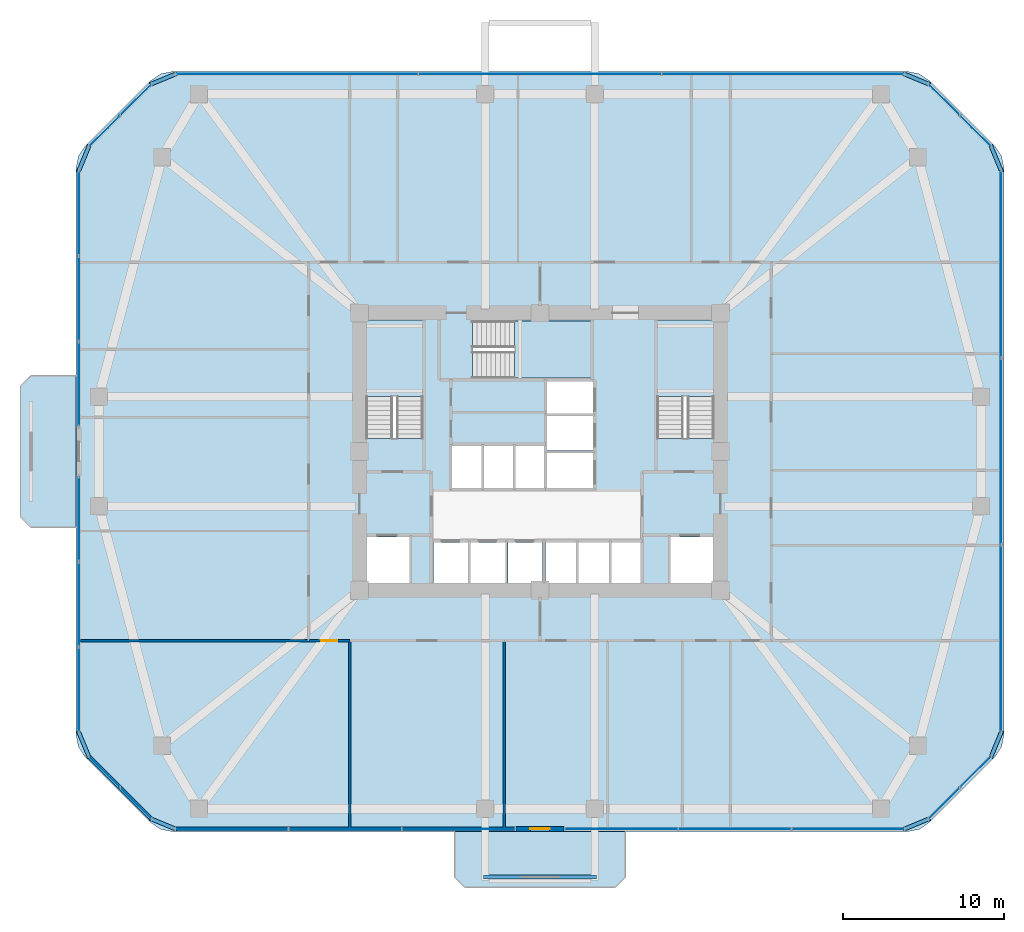
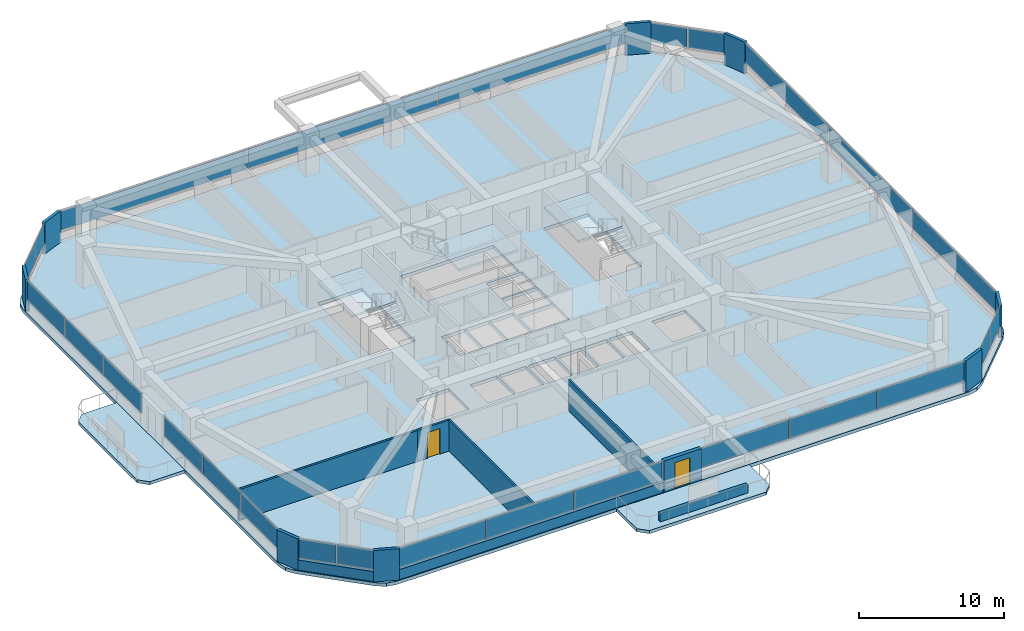
# One storey, part 8 of 14: 34 plates, 8 walls, 6 slabs, 2 doors, 2 openings, 13 elements without a shape of their own.
"""IFC4 building model written with IfcOpenShell, lengths in metres."""

from ifc_helpers import new_model, si_unit, derived_unit, direction, frame, frame_2d, origin, origin_2d, place, context, subcontext, project, spatial, polyline, rectangle, outline, extrude, material, layer, layer_set, type_object, element, fill, aggregate, save


model = new_model("IFC4")

# Units and contexts
model_context = context("Model", 3, precision=1e-05, world=origin(), true_north=direction((0.0, 1.0)))
body_context = subcontext(model_context, "Body", "Model", "MODEL_VIEW")
ifc_project = project(units=[si_unit("LENGTHUNIT", "METRE"), si_unit("AREAUNIT", "SQUARE_METRE"), si_unit("VOLUMEUNIT", "CUBIC_METRE"), si_unit("PLANEANGLEUNIT", "RADIAN"), si_unit("MASSUNIT", "GRAM", prefix="KILO"), derived_unit("THERMALTRANSMITTANCEUNIT", [(si_unit("POWERUNIT", "WATT"), 1), (si_unit("LENGTHUNIT", "METRE"), -2), (si_unit("THERMODYNAMICTEMPERATUREUNIT", "KELVIN"), -1)])], contexts=[model_context])

# Site, building, storey
site_placement = place(None, origin())
site = spatial("IfcSite", under=ifc_project, at=site_placement, CompositionType="ELEMENT")
building_placement = place(site_placement, origin())
building = spatial("IfcBuilding", under=site, at=building_placement, Name="Koralith Skygarden Medical Center", CompositionType="ELEMENT")
storey_placement = place(building_placement, frame((0.0, 0.0, 34.739990234375)))
storey = spatial("IfcBuildingStorey", under=building, at=storey_placement, Name="L08", CompositionType="ELEMENT", Elevation=34.739990234375)

# Curtain wall, plates
ifc_material_1 = material(Name="Clear Laminated Glass", Category="glass")
curtain_wall_type = type_object("IfcCurtainWallType", Name="CW-2 Zone 1 Hurricane Unitised Curtain Wall", PredefinedType="NOTDEFINED", material=ifc_material_1)
curtain_wall_1_placement = place(storey_placement, origin())
curtain_wall_1 = element("IfcCurtainWall", 1, at=curtain_wall_1_placement, inside=storey, type_object=curtain_wall_type, Name="Curtain Wall CW-L08-S-L", PredefinedType="NOTDEFINED")
ifc_layer_1 = layer(ifc_material_1, 0.031982421875)
ifc_layer_set_1 = layer_set([ifc_layer_1], Name="Clear Laminated Glass")
plate_type_1 = type_object("IfcPlateType", Name="CW-2 Hurricane Laminated IGU Panel 32", PredefinedType="CURTAIN_PANEL", material=ifc_layer_set_1)
plate_1_placement = place(storey_placement, frame((17.873046875, 2.47998046875, 0.919921875), z_axis=(0.0, 0.0, 1.0), x_axis=(1.0, 0.0, 0.0)))
plate_1 = element("IfcPlate", 2, at=plate_1_placement, type_object=plate_type_1, Name="CW-L08-S-L Glazed Panel 1", PredefinedType="CURTAIN_PANEL", context=body_context, shape_type="SweptSolid", body=[
    extrude(rectangle(XDim=6.945068359375, YDim=0.031982421875, at=origin_2d()), origin(), (0.0, 0.0, 1.0), 1.659912109375),
])
plate_2_placement = place(storey_placement, frame((24.906982421875, 2.47998046875, 0.919921875), z_axis=(0.0, 0.0, 1.0), x_axis=(1.0, 0.0, 0.0)))
plate_2 = element("IfcPlate", 3, at=plate_2_placement, type_object=plate_type_1, Name="CW-L08-S-L Glazed Panel 2", PredefinedType="CURTAIN_PANEL", context=body_context, shape_type="SweptSolid", body=[
    extrude(rectangle(XDim=6.945068359375, YDim=0.031982421875, at=origin_2d()), origin(), (0.0, 0.0, 1.0), 1.659912109375),
])
plate_3_placement = place(storey_placement, frame((31.94189453125, 2.47998046875, 0.919921875), z_axis=(0.0, 0.0, 1.0), x_axis=(1.0, 0.0, 0.0)))
plate_3 = element("IfcPlate", 4, at=plate_3_placement, type_object=plate_type_1, Name="CW-L08-S-L Glazed Panel 3", PredefinedType="CURTAIN_PANEL", context=body_context, shape_type="SweptSolid", body=[
    extrude(rectangle(XDim=6.945068359375, YDim=0.031982421875, at=origin_2d()), origin(), (0.0, 0.0, 1.0), 1.659912109375),
])
aggregate(curtain_wall_1, [plate_1, plate_2, plate_3])

curtain_wall_2_placement = place(storey_placement, origin())
curtain_wall_2 = element("IfcCurtainWall", 5, at=curtain_wall_2_placement, inside=storey, type_object=curtain_wall_type, Name="Curtain Wall CW-L08-S-R", PredefinedType="NOTDEFINED")
plate_4_placement = place(storey_placement, frame((42.056884765625, 2.47998046875, 0.919921875), z_axis=(0.0, 0.0, 1.0), x_axis=(1.0, 0.0, 0.0)))
plate_4 = element("IfcPlate", 6, at=plate_4_placement, type_object=plate_type_1, Name="CW-L08-S-R Glazed Panel 1", PredefinedType="CURTAIN_PANEL", context=body_context, shape_type="SweptSolid", body=[
    extrude(rectangle(XDim=6.945068359375, YDim=0.031982421875, at=origin_2d()), origin(), (0.0, 0.0, 1.0), 1.659912109375),
])
plate_5_placement = place(storey_placement, frame((49.093017578125, 2.47998046875, 0.919921875), z_axis=(0.0, 0.0, 1.0), x_axis=(1.0, 0.0, 0.0)))
plate_5 = element("IfcPlate", 7, at=plate_5_placement, type_object=plate_type_1, Name="CW-L08-S-R Glazed Panel 2", PredefinedType="CURTAIN_PANEL", context=body_context, shape_type="SweptSolid", body=[
    extrude(rectangle(XDim=6.945068359375, YDim=0.031982421875, at=origin_2d()), origin(), (0.0, 0.0, 1.0), 1.659912109375),
])
plate_6_placement = place(storey_placement, frame((56.126953125, 2.47998046875, 0.919921875), z_axis=(0.0, 0.0, 1.0), x_axis=(1.0, 0.0, 0.0)))
plate_6 = element("IfcPlate", 8, at=plate_6_placement, type_object=plate_type_1, Name="CW-L08-S-R Glazed Panel 3", PredefinedType="CURTAIN_PANEL", context=body_context, shape_type="SweptSolid", body=[
    extrude(rectangle(XDim=6.945068359375, YDim=0.031982421875, at=origin_2d()), origin(), (0.0, 0.0, 1.0), 1.659912109375),
])
aggregate(curtain_wall_2, [plate_4, plate_5, plate_6])

curtain_wall_3_placement = place(storey_placement, origin())
curtain_wall_3 = element("IfcCurtainWall", 9, at=curtain_wall_3_placement, inside=storey, type_object=curtain_wall_type, Name="Curtain Wall CW-L08-SE", PredefinedType="NOTDEFINED")
plate_7_placement = place(storey_placement, frame((62.076904296875, 4.06201171875, 0.919921875), z_axis=(0.0, 0.0, 1.0), x_axis=(0.707106781187, 0.707106781187, 0.0)))
plate_7 = element("IfcPlate", 10, at=plate_7_placement, type_object=plate_type_1, Name="CW-L08-SE Glazed Panel 1", PredefinedType="CURTAIN_PANEL", context=body_context, shape_type="SweptSolid", body=[
    extrude(rectangle(XDim=2.68408203125, YDim=0.031982421875, at=origin_2d()), origin(), (0.0, 0.0, 1.0), 1.659912109375),
])
plate_8_placement = place(storey_placement, frame((64.0380859375, 6.02294921875, 0.919921875), z_axis=(0.0, 0.0, 1.0), x_axis=(0.707106781187, 0.707106781187, 0.0)))
plate_8 = element("IfcPlate", 11, at=plate_8_placement, type_object=plate_type_1, Name="CW-L08-SE Glazed Panel 2", PredefinedType="CURTAIN_PANEL", context=body_context, shape_type="SweptSolid", body=[
    extrude(rectangle(XDim=2.68408203125, YDim=0.031982421875, at=origin_2d()), origin(), (0.0, 0.0, 1.0), 1.659912109375),
])
aggregate(curtain_wall_3, [plate_7, plate_8])

curtain_wall_4_placement = place(storey_placement, origin())
curtain_wall_4 = element("IfcCurtainWall", 12, at=curtain_wall_4_placement, inside=storey, type_object=curtain_wall_type, Name="Curtain Wall CW-L08-E", PredefinedType="NOTDEFINED")
plate_9_placement = place(storey_placement, frame((65.6201171875, 14.27001953125, 0.919921875), z_axis=(0.0, 0.0, 1.0), x_axis=(0.0, 1.0, 0.0)))
plate_9 = element("IfcPlate", 13, at=plate_9_placement, type_object=plate_type_1, Name="CW-L08-E Glazed Panel 1", PredefinedType="CURTAIN_PANEL", context=body_context, shape_type="SweptSolid", body=[
    extrude(rectangle(XDim=11.5400390625, YDim=0.031982421875, at=origin_2d()), origin(), (0.0, 0.0, 1.0), 1.659912109375),
])
plate_10_placement = place(storey_placement, frame((65.6201171875, 25.89990234375, 0.919921875), z_axis=(0.0, 0.0, 1.0), x_axis=(0.0, 1.0, 0.0)))
plate_10 = element("IfcPlate", 14, at=plate_10_placement, type_object=plate_type_1, Name="CW-L08-E Glazed Panel 2", PredefinedType="CURTAIN_PANEL", context=body_context, shape_type="SweptSolid", body=[
    extrude(rectangle(XDim=11.5400390625, YDim=0.031982421875, at=origin_2d()), origin(), (0.0, 0.0, 1.0), 1.659912109375),
])
plate_11_placement = place(storey_placement, frame((65.6201171875, 37.530029296875, 0.919921875), z_axis=(0.0, 0.0, 1.0), x_axis=(0.0, 1.0, 0.0)))
plate_11 = element("IfcPlate", 15, at=plate_11_placement, type_object=plate_type_1, Name="CW-L08-E Glazed Panel 3", PredefinedType="CURTAIN_PANEL", context=body_context, shape_type="SweptSolid", body=[
    extrude(rectangle(XDim=11.5400390625, YDim=0.031982421875, at=origin_2d()), origin(), (0.0, 0.0, 1.0), 1.659912109375),
])
aggregate(curtain_wall_4, [plate_9, plate_10, plate_11])

curtain_wall_5_placement = place(storey_placement, origin())
curtain_wall_5 = element("IfcCurtainWall", 16, at=curtain_wall_5_placement, inside=storey, type_object=curtain_wall_type, Name="Curtain Wall CW-L08-NE", PredefinedType="NOTDEFINED")
plate_12_placement = place(storey_placement, frame((64.0380859375, 45.777099609375, 0.919921875), z_axis=(0.0, 0.0, 1.0), x_axis=(-0.707106781187, 0.707106781187, 0.0)))
plate_12 = element("IfcPlate", 17, at=plate_12_placement, type_object=plate_type_1, Name="CW-L08-NE Glazed Panel 1", PredefinedType="CURTAIN_PANEL", context=body_context, shape_type="SweptSolid", body=[
    extrude(rectangle(XDim=2.68408203125, YDim=0.031982421875, at=origin_2d()), origin(), (0.0, 0.0, 1.0), 1.659912109375),
])
plate_13_placement = place(storey_placement, frame((62.076904296875, 47.738037109375, 0.919921875), z_axis=(0.0, 0.0, 1.0), x_axis=(-0.707106781187, 0.707106781187, 0.0)))
plate_13 = element("IfcPlate", 18, at=plate_13_placement, type_object=plate_type_1, Name="CW-L08-NE Glazed Panel 2", PredefinedType="CURTAIN_PANEL", context=body_context, shape_type="SweptSolid", body=[
    extrude(rectangle(XDim=2.68408203125, YDim=0.031982421875, at=origin_2d()), origin(), (0.0, 0.0, 1.0), 1.659912109375),
])
aggregate(curtain_wall_5, [plate_12, plate_13])

curtain_wall_6_placement = place(storey_placement, origin())
curtain_wall_6 = element("IfcCurtainWall", 19, at=curtain_wall_6_placement, inside=storey, type_object=curtain_wall_type, Name="Curtain Wall CW-L08-N", PredefinedType="NOTDEFINED")
plate_14_placement = place(storey_placement, frame((52.096923828125, 49.320068359375, 0.919921875), z_axis=(0.0, 0.0, 1.0), x_axis=(-1.0, 0.0, 0.0)))
plate_14 = element("IfcPlate", 20, at=plate_14_placement, type_object=plate_type_1, Name="CW-L08-N Glazed Panel 1", PredefinedType="CURTAIN_PANEL", context=body_context, shape_type="SweptSolid", body=[
    extrude(rectangle(XDim=15.007080078125, YDim=0.031982421875, at=origin_2d()), origin(), (0.0, 0.0, 1.0), 1.659912109375),
])
plate_15_placement = place(storey_placement, frame((37.0, 49.320068359375, 0.919921875), z_axis=(0.0, 0.0, 1.0), x_axis=(-1.0, 0.0, 0.0)))
plate_15 = element("IfcPlate", 21, at=plate_15_placement, type_object=plate_type_1, Name="CW-L08-N Glazed Panel 2", PredefinedType="CURTAIN_PANEL", context=body_context, shape_type="SweptSolid", body=[
    extrude(rectangle(XDim=15.007080078125, YDim=0.031982421875, at=origin_2d()), origin(), (0.0, 0.0, 1.0), 1.659912109375),
])
plate_16_placement = place(storey_placement, frame((21.903076171875, 49.320068359375, 0.919921875), z_axis=(0.0, 0.0, 1.0), x_axis=(-1.0, 0.0, 0.0)))
plate_16 = element("IfcPlate", 22, at=plate_16_placement, type_object=plate_type_1, Name="CW-L08-N Glazed Panel 3", PredefinedType="CURTAIN_PANEL", context=body_context, shape_type="SweptSolid", body=[
    extrude(rectangle(XDim=15.007080078125, YDim=0.031982421875, at=origin_2d()), origin(), (0.0, 0.0, 1.0), 1.659912109375),
])
aggregate(curtain_wall_6, [plate_14, plate_15, plate_16])

curtain_wall_7_placement = place(storey_placement, origin())
curtain_wall_7 = element("IfcCurtainWall", 23, at=curtain_wall_7_placement, inside=storey, type_object=curtain_wall_type, Name="Curtain Wall CW-L08-NW", PredefinedType="NOTDEFINED")
plate_17_placement = place(storey_placement, frame((11.923095703125, 47.738037109375, 0.919921875), z_axis=(0.0, 0.0, 1.0), x_axis=(-0.707106781187, -0.707106781187, 0.0)))
plate_17 = element("IfcPlate", 24, at=plate_17_placement, type_object=plate_type_1, Name="CW-L08-NW Glazed Panel 1", PredefinedType="CURTAIN_PANEL", context=body_context, shape_type="SweptSolid", body=[
    extrude(rectangle(XDim=2.68408203125, YDim=0.031982421875, at=origin_2d()), origin(), (0.0, 0.0, 1.0), 1.659912109375),
])
plate_18_placement = place(storey_placement, frame((9.9619140625, 45.777099609375, 0.919921875), z_axis=(0.0, 0.0, 1.0), x_axis=(-0.707106781187, -0.707106781187, 0.0)))
plate_18 = element("IfcPlate", 25, at=plate_18_placement, type_object=plate_type_1, Name="CW-L08-NW Glazed Panel 2", PredefinedType="CURTAIN_PANEL", context=body_context, shape_type="SweptSolid", body=[
    extrude(rectangle(XDim=2.68408203125, YDim=0.031982421875, at=origin_2d()), origin(), (0.0, 0.0, 1.0), 1.659912109375),
])
aggregate(curtain_wall_7, [plate_17, plate_18])

curtain_wall_8_placement = place(storey_placement, origin())
curtain_wall_8 = element("IfcCurtainWall", 26, at=curtain_wall_8_placement, inside=storey, type_object=curtain_wall_type, Name="Curtain Wall CW-L08-W-L", PredefinedType="NOTDEFINED")
plate_19_placement = place(storey_placement, frame((8.3798828125, 40.694091796875, 0.919921875), z_axis=(0.0, 0.0, 1.0), x_axis=(0.0, -1.0, 0.0)))
plate_19 = element("IfcPlate", 27, at=plate_19_placement, type_object=plate_type_1, Name="CW-L08-W-L Glazed Panel 1", PredefinedType="CURTAIN_PANEL", context=body_context, shape_type="SweptSolid", body=[
    extrude(rectangle(XDim=5.2119140625, YDim=0.031982421875, at=origin_2d()), origin(), (0.0, 0.0, 1.0), 1.659912109375),
])
plate_20_placement = place(storey_placement, frame((8.3798828125, 35.39208984375, 0.919921875), z_axis=(0.0, 0.0, 1.0), x_axis=(0.0, -1.0, 0.0)))
plate_20 = element("IfcPlate", 28, at=plate_20_placement, type_object=plate_type_1, Name="CW-L08-W-L Glazed Panel 2", PredefinedType="CURTAIN_PANEL", context=body_context, shape_type="SweptSolid", body=[
    extrude(rectangle(XDim=5.2119140625, YDim=0.031982421875, at=origin_2d()), origin(), (0.0, 0.0, 1.0), 1.659912109375),
])
plate_21_placement = place(storey_placement, frame((8.3798828125, 30.091064453125, 0.919921875), z_axis=(0.0, 0.0, 1.0), x_axis=(0.0, -1.0, 0.0)))
plate_21 = element("IfcPlate", 29, at=plate_21_placement, type_object=plate_type_1, Name="CW-L08-W-L Glazed Panel 3", PredefinedType="CURTAIN_PANEL", context=body_context, shape_type="SweptSolid", body=[
    extrude(rectangle(XDim=5.2119140625, YDim=0.031982421875, at=origin_2d()), origin(), (0.0, 0.0, 1.0), 1.659912109375),
])
aggregate(curtain_wall_8, [plate_19, plate_20, plate_21])

curtain_wall_9_placement = place(storey_placement, origin())
curtain_wall_9 = element("IfcCurtainWall", 30, at=curtain_wall_9_placement, inside=storey, type_object=curtain_wall_type, Name="Curtain Wall CW-L08-W-R", PredefinedType="NOTDEFINED")
plate_22_placement = place(storey_placement, frame((8.3798828125, 21.708984375, 0.919921875), z_axis=(0.0, 0.0, 1.0), x_axis=(0.0, -1.0, 0.0)))
plate_22 = element("IfcPlate", 31, at=plate_22_placement, type_object=plate_type_1, Name="CW-L08-W-R Glazed Panel 1", PredefinedType="CURTAIN_PANEL", context=body_context, shape_type="SweptSolid", body=[
    extrude(rectangle(XDim=5.2119140625, YDim=0.031982421875, at=origin_2d()), origin(), (0.0, 0.0, 1.0), 1.659912109375),
])
plate_23_placement = place(storey_placement, frame((8.3798828125, 16.406982421875, 0.919921875), z_axis=(0.0, 0.0, 1.0), x_axis=(0.0, -1.0, 0.0)))
plate_23 = element("IfcPlate", 32, at=plate_23_placement, type_object=plate_type_1, Name="CW-L08-W-R Glazed Panel 2", PredefinedType="CURTAIN_PANEL", context=body_context, shape_type="SweptSolid", body=[
    extrude(rectangle(XDim=5.2119140625, YDim=0.031982421875, at=origin_2d()), origin(), (0.0, 0.0, 1.0), 1.659912109375),
])
plate_24_placement = place(storey_placement, frame((8.3798828125, 11.10595703125, 0.919921875), z_axis=(0.0, 0.0, 1.0), x_axis=(0.0, -1.0, 0.0)))
plate_24 = element("IfcPlate", 33, at=plate_24_placement, type_object=plate_type_1, Name="CW-L08-W-R Glazed Panel 3", PredefinedType="CURTAIN_PANEL", context=body_context, shape_type="SweptSolid", body=[
    extrude(rectangle(XDim=5.2119140625, YDim=0.031982421875, at=origin_2d()), origin(), (0.0, 0.0, 1.0), 1.659912109375),
])
aggregate(curtain_wall_9, [plate_22, plate_23, plate_24])

curtain_wall_10_placement = place(storey_placement, origin())
curtain_wall_10 = element("IfcCurtainWall", 34, at=curtain_wall_10_placement, inside=storey, type_object=curtain_wall_type, Name="Curtain Wall CW-L08-SW", PredefinedType="NOTDEFINED")
plate_25_placement = place(storey_placement, frame((9.9619140625, 6.02294921875, 0.919921875), z_axis=(0.0, 0.0, 1.0), x_axis=(0.707106781187, -0.707106781187, 0.0)))
plate_25 = element("IfcPlate", 35, at=plate_25_placement, type_object=plate_type_1, Name="CW-L08-SW Glazed Panel 1", PredefinedType="CURTAIN_PANEL", context=body_context, shape_type="SweptSolid", body=[
    extrude(rectangle(XDim=2.68408203125, YDim=0.031982421875, at=origin_2d()), origin(), (0.0, 0.0, 1.0), 1.659912109375),
])
plate_26_placement = place(storey_placement, frame((11.923095703125, 4.06201171875, 0.919921875), z_axis=(0.0, 0.0, 1.0), x_axis=(0.707106781187, -0.707106781187, 0.0)))
plate_26 = element("IfcPlate", 36, at=plate_26_placement, type_object=plate_type_1, Name="CW-L08-SW Glazed Panel 2", PredefinedType="CURTAIN_PANEL", context=body_context, shape_type="SweptSolid", body=[
    extrude(rectangle(XDim=2.68408203125, YDim=0.031982421875, at=origin_2d()), origin(), (0.0, 0.0, 1.0), 1.659912109375),
])
aggregate(curtain_wall_10, [plate_25, plate_26])

# Slabs
ifc_material_2 = material(Name="Concrete C45/55", Category="concrete")
ifc_layer_2 = layer(ifc_material_2, 0.260009765625)
ifc_layer_set_2 = layer_set([ifc_layer_2], Name="Concrete C45/55")
slab_type_1 = type_object("IfcSlabType", Name="Cantilevered Planted Balcony Slab 260", PredefinedType="FLOOR", material=ifc_layer_set_2)
slab_1_placement = place(storey_placement, frame((0.0, 0.0, -0.260009765625)))
element("IfcSlab", 37, at=slab_1_placement, inside=storey, type_object=slab_type_1, Name="L08 S Planted Sky-Garden Balcony Slab", PredefinedType="FLOOR", context=body_context, shape_type="SweptSolid", body=[
    extrude(outline(polyline([(32.35009765625, -1.14990234375), (41.64990234375, -1.14990234375), (42.300048828125, -0.5), (42.300048828125, 2.300048828125), (31.699951171875, 2.300048828125), (31.699951171875, -0.5), (32.35009765625, -1.14990234375)])), origin(), (0.0, 0.0, 1.0), 0.260009765625),
])
slab_2_placement = place(storey_placement, frame((0.0, 0.0, -0.260009765625)))
element("IfcSlab", 38, at=slab_2_placement, inside=storey, type_object=slab_type_1, Name="L08 W Planted Sky-Garden Balcony Slab", PredefinedType="FLOOR", context=body_context, shape_type="SweptSolid", body=[
    extrude(outline(polyline([(5.39990234375, 21.199951171875), (8.199951171875, 21.199951171875), (8.199951171875, 30.60009765625), (5.39990234375, 30.60009765625), (4.75, 29.949951171875), (4.75, 21.85009765625), (5.39990234375, 21.199951171875)])), origin(), (0.0, 0.0, 1.0), 0.260009765625),
])

# Stair, slab
stair_type = type_object("IfcStairType", Name="Core Exit Dogleg Concrete Stair", PredefinedType="HALF_TURN_STAIR", material=ifc_material_2)
stair_1_placement = place(storey_placement, origin())
stair_1 = element("IfcStair", 39, at=stair_1_placement, inside=storey, type_object=stair_type, Name="L08 Smokeproof Exit Stair ST1", PredefinedType="HALF_TURN_STAIR")
ifc_layer_3 = layer(ifc_material_2, 0.199951171875)
ifc_layer_set_3 = layer_set([ifc_layer_3], Name="Concrete C45/55")
slab_type_2 = type_object("IfcSlabType", Name="Core Exit Concrete Stair Landing 200", PredefinedType="LANDING", material=ifc_layer_set_3)
slab_3_placement = place(storey_placement, frame((0.0, 0.0, 1.60009765625)))
slab_3 = element("IfcSlab", 40, at=slab_3_placement, type_object=slab_type_2, Name="ST1 landing 1", PredefinedType="LANDING", context=body_context, shape_type="SweptSolid", body=[
    extrude(outline(polyline([(29.75, 29.31005859375), (29.75, 34.050048828125), (26.199951171875, 34.050048828125), (26.199951171875, 29.31005859375), (29.75, 29.31005859375)])), origin(), (0.0, 0.0, 1.0), 0.199951171875),
])
aggregate(stair_1, [slab_3])

stair_2_placement = place(storey_placement, origin())
stair_2 = element("IfcStair", 41, at=stair_2_placement, inside=storey, type_object=stair_type, Name="L08 Smokeproof Exit Stair ST2", PredefinedType="HALF_TURN_STAIR")
slab_4_placement = place(storey_placement, frame((0.0, 0.0, 1.60009765625)))
slab_4 = element("IfcSlab", 42, at=slab_4_placement, type_object=slab_type_2, Name="ST2 landing 1", PredefinedType="LANDING", context=body_context, shape_type="SweptSolid", body=[
    extrude(outline(polyline([(47.800048828125, 29.31005859375), (47.800048828125, 34.050048828125), (44.25, 34.050048828125), (44.25, 29.31005859375), (47.800048828125, 29.31005859375)])), origin(), (0.0, 0.0, 1.0), 0.199951171875),
])
aggregate(stair_2, [slab_4])

stair_3_placement = place(storey_placement, origin())
stair_3 = element("IfcStair", 43, at=stair_3_placement, inside=storey, type_object=stair_type, Name="L08 Smokeproof Exit Stair ST3", PredefinedType="HALF_TURN_STAIR")
slab_5_placement = place(storey_placement, frame((0.0, 0.0, 1.60009765625)))
slab_5 = element("IfcSlab", 44, at=slab_5_placement, type_object=slab_type_2, Name="ST3 landing 1", PredefinedType="LANDING", context=body_context, shape_type="SweptSolid", body=[
    extrude(outline(polyline([(35.409912109375, 30.449951171875), (40.199951171875, 30.449951171875), (40.199951171875, 34.0), (35.409912109375, 34.0), (35.409912109375, 30.449951171875)])), origin(), (0.0, 0.0, 1.0), 0.199951171875),
])
aggregate(stair_3, [slab_5])

# Slab
ifc_layer_4 = layer(ifc_material_2, 0.280029296875)
ifc_layer_set_4 = layer_set([ifc_layer_4], Name="Concrete C45/55")
slab_type_3 = type_object("IfcSlabType", Name="Post-Tensioned Ward Floor Plate 280", PredefinedType="FLOOR", material=ifc_layer_set_4)
slab_6_placement = place(storey_placement, frame((0.0, 0.0, -0.280029296875)))
element("IfcSlab", 45, at=slab_6_placement, inside=storey, type_object=slab_type_3, Name="Level L08 Structural Floor Slab", PredefinedType="FLOOR", context=body_context, shape_type="SweptSolid", body=[
    extrude(outline(polyline([(12.81396484375, 2.885986328125), (13.462890625, 2.451904296875), (14.22802734375, 2.300048828125), (59.77197265625, 2.300048828125), (60.537109375, 2.451904296875), (61.18603515625, 2.885986328125), (65.214111328125, 6.9140625), (65.64794921875, 7.56298828125), (65.800048828125, 8.327880859375), (65.800048828125, 43.471923828125), (65.64794921875, 44.237060546875), (65.214111328125, 44.885986328125), (61.18603515625, 48.9140625), (60.537109375, 49.347900390625), (59.77197265625, 49.5), (14.22802734375, 49.5), (13.462890625, 49.347900390625), (12.81396484375, 48.9140625), (8.785888671875, 44.885986328125), (8.35205078125, 44.237060546875), (8.199951171875, 43.471923828125), (8.199951171875, 8.327880859375), (8.35205078125, 7.56298828125), (8.785888671875, 6.9140625), (12.81396484375, 2.885986328125)]), holes=[polyline([(26.199951171875, 26.705078125), (29.75, 26.705078125), (29.75, 34.050048828125), (26.199951171875, 34.050048828125), (26.199951171875, 26.705078125)]), polyline([(44.25, 26.705078125), (47.800048828125, 26.705078125), (47.800048828125, 34.050048828125), (44.25, 34.050048828125), (44.25, 26.705078125)]), polyline([(32.804931640625, 30.449951171875), (40.199951171875, 30.449951171875), (40.199951171875, 34.0), (32.804931640625, 34.0), (32.804931640625, 30.449951171875)]), polyline([(26.25, 17.75), (28.89990234375, 17.75), (28.89990234375, 20.60009765625), (26.25, 20.60009765625), (26.25, 17.75)]), polyline([(45.10009765625, 17.75), (47.75, 17.75), (47.75, 20.60009765625), (45.10009765625, 20.60009765625), (45.10009765625, 17.75)]), polyline([(30.39990234375, 17.75), (32.550048828125, 17.75), (32.550048828125, 20.25), (30.39990234375, 20.25), (30.39990234375, 17.75)]), polyline([(32.699951171875, 17.75), (34.85009765625, 17.75), (34.85009765625, 20.25), (32.699951171875, 20.25), (32.699951171875, 17.75)]), polyline([(35.0, 17.75), (37.14990234375, 17.75), (37.14990234375, 20.25), (35.0, 20.25), (35.0, 17.75)]), polyline([(37.35009765625, 17.75), (39.25, 17.75), (39.25, 20.25), (37.35009765625, 20.25), (37.35009765625, 17.75)]), polyline([(39.39990234375, 17.75), (41.300048828125, 17.75), (41.300048828125, 20.25), (39.39990234375, 20.25), (39.39990234375, 17.75)]), polyline([(41.449951171875, 17.75), (43.300048828125, 17.75), (43.300048828125, 20.25), (41.449951171875, 20.25), (41.449951171875, 17.75)]), polyline([(31.550048828125, 23.64990234375), (33.39990234375, 23.64990234375), (33.39990234375, 26.25), (31.550048828125, 26.25), (31.550048828125, 23.64990234375)]), polyline([(33.5, 23.64990234375), (35.35009765625, 23.64990234375), (35.35009765625, 26.25), (33.5, 26.25), (33.5, 23.64990234375)]), polyline([(35.449951171875, 23.64990234375), (37.300048828125, 23.64990234375), (37.300048828125, 26.25), (35.449951171875, 26.25), (35.449951171875, 23.64990234375)]), polyline([(37.449951171875, 23.64990234375), (40.300048828125, 23.64990234375), (40.300048828125, 25.800048828125), (37.449951171875, 25.800048828125), (37.449951171875, 23.64990234375)]), polyline([(37.449951171875, 25.949951171875), (40.300048828125, 25.949951171875), (40.300048828125, 28.10009765625), (37.449951171875, 28.10009765625), (37.449951171875, 25.949951171875)]), polyline([(37.449951171875, 28.25), (40.300048828125, 28.25), (40.300048828125, 30.25), (37.449951171875, 30.25), (37.449951171875, 28.25)])]), origin(), (0.0, 0.0, 1.0), 0.280029296875),
])

# Plates
ifc_material_3 = material(Name="Warm Oolitic Limestone Cladding", Category="masonry")
ifc_layer_5 = layer(ifc_material_3, 0.239990234375)
ifc_layer_set_5 = layer_set([ifc_layer_5], Name="Warm Oolitic Limestone Cladding")
plate_type_2 = type_object("IfcPlateType", Name="Rounded-Corner Oolitic Limestone Cladding Panel 240", PredefinedType="USERDEFINED", material=ifc_layer_set_5)
for number, where, z_axis, x_axis, name in (
    (46, (60.3701171875, 2.780029296875, 0.0), (0.0, 0.0, 1.0), (0.92388487569, 0.382670532536, 0.0), "L08 Rounded-Corner Limestone Pier 1"),
    (47, (65.320068359375, 7.72900390625, 0.0), (0.0, 0.0, 1.0), (0.382670532536, 0.92388487569, 0.0), "L08 Rounded-Corner Limestone Pier 2"),
    (48, (65.320068359375, 44.070068359375, 0.0), (0.0, 0.0, 1.0), (-0.382670532536, 0.92388487569, 0.0), "L08 Rounded-Corner Limestone Pier 3"),
    (49, (60.3701171875, 49.02001953125, 0.0), (0.0, 0.0, 1.0), (-0.92388487569, 0.382670532536, 0.0), "L08 Rounded-Corner Limestone Pier 4"),
    (50, (13.6298828125, 49.02001953125, 0.0), (0.0, 0.0, 1.0), (-0.92388487569, -0.382670532536, 0.0), "L08 Rounded-Corner Limestone Pier 5"),
    (51, (8.680908203125, 44.070068359375, 0.0), (0.0, 0.0, 1.0), (-0.382670532536, -0.92388487569, 0.0), "L08 Rounded-Corner Limestone Pier 6"),
    (52, (8.680908203125, 7.72900390625, 0.0), (0.0, 0.0, 1.0), (0.382670532536, -0.92388487569, 0.0), "L08 Rounded-Corner Limestone Pier 7"),
    (53, (13.6298828125, 2.780029296875, 0.0), (0.0, 0.0, 1.0), (0.92388487569, -0.382670532536, 0.0), "L08 Rounded-Corner Limestone Pier 8"),
):
    element("IfcPlate", number, at=place(storey_placement, frame(where, z_axis=z_axis, x_axis=x_axis)), inside=storey, type_object=plate_type_2, Name=name, ObjectType="LIMESTONE CLADDING", PredefinedType="USERDEFINED", context=body_context, shape_type="SweptSolid", body=[
        extrude(rectangle(XDim=1.81103515625, YDim=0.239990234375, at=origin_2d()), origin(), (0.0, 0.0, 1.0), 2.64990234375),
    ])

# Walls
ifc_material_4 = material(Name="Gypsum Board Partition")
ifc_layer_6 = layer(ifc_material_4, 0.14990234375)
ifc_layer_set_6 = layer_set([ifc_layer_6], Name="Gypsum Board Partition")
wall_type_1 = type_object("IfcWallType", Name="Clinical Acoustic Partition 150", PredefinedType="PARTITIONING", material=ifc_layer_set_6)
for number, where, z_axis, x_axis, name in (
    (54, (25.199951171875, 14.14990234375, 0.0), (0.0, 0.0, 1.0), (0.0, -1.0, 0.0), "L08 Clinical Acoustic Partition 150 W-PART-L08-S-01"),
    (55, (34.7939453125, 14.14990234375, 0.0), (0.0, 0.0, 1.0), (0.0, -1.0, 0.0), "L08 Clinical Acoustic Partition 150 W-PART-L08-S-02"),
):
    element("IfcWall", number, at=place(storey_placement, frame(where, z_axis=z_axis, x_axis=x_axis)), inside=storey, type_object=wall_type_1, Name=name, PredefinedType="PARTITIONING", context=body_context, shape_type="SweptSolid", body=[
        extrude(rectangle(XDim=11.64990234375, YDim=0.14990234375, at=frame_2d((5.824951171875, 0.0))), origin(), (0.0, 0.0, 1.0), 2.610107421875),
    ])
ifc_layer_7 = layer(ifc_material_4, 0.1650390625)
ifc_layer_set_7 = layer_set([ifc_layer_7], Name="Gypsum Board Partition")
wall_type_2 = type_object("IfcWallType", Name="Clinical Corridor Partition 165", PredefinedType="PARTITIONING", material=ifc_layer_set_7)
wall_1_placement = place(storey_placement, frame((8.39990234375, 14.14990234375, 0.0), z_axis=(0.0, 0.0, 1.0), x_axis=(1.0, 0.0, 0.0)))
element("IfcWall", 56, at=wall_1_placement, inside=storey, type_object=wall_type_2, Name="L08 Clinical Corridor Partition 165 W-WB-L08-SW", PredefinedType="PARTITIONING", context=body_context, shape_type="SweptSolid", body=[
    extrude(rectangle(XDim=14.25, YDim=0.1650390625, at=frame_2d((7.125, 0.0))), origin(), (0.0, 0.0, 1.0), 2.610107421875),
])

# Wall, opening, door
wall_2_placement = place(storey_placement, frame((22.64990234375, 14.14990234375, 0.0), z_axis=(0.0, 0.0, 1.0), x_axis=(1.0, 0.0, 0.0)))
wall_2 = element("IfcWall", 57, at=wall_2_placement, inside=storey, type_object=wall_type_2, Name="L08 Clinical Corridor Partition 165 W-CORR-L08-S-01", PredefinedType="PARTITIONING", context=body_context, shape_type="SweptSolid", body=[
    extrude(rectangle(XDim=2.550048828125, YDim=0.1650390625, at=frame_2d((1.27490234375, 0.0))), origin(), (0.0, 0.0, 1.0), 2.610107421875),
])
opening_1_placement = place(wall_2_placement, frame((0.77490234375, 0.0, 0.0)))
opening_1 = element("IfcOpeningElement", 58, at=opening_1_placement, cuts=wall_2, Name="Opening D-SUP", PredefinedType="OPENING", context=body_context, shape_type="SweptSolid", body=[
    extrude(rectangle(XDim=1.0, YDim=2.14990234375, at=frame_2d((0.5, 1.074951171875))), frame((0.0, 0.092529296875, 0.0), z_axis=(0.0, -1.0, 0.0), x_axis=(1.0, 0.0, 0.0)), (0.0, 0.0, 1.0), 0.18505859375),
])
ifc_material_5 = material(Name="Aluminium 6063-T6", Category="aluminium")
door_type_1 = type_object("IfcDoorType", Name="Clinical Support Door D-SUP 1000", OperationType="NOTDEFINED", PredefinedType="DOOR", material=ifc_material_5)
door_1_placement = place(opening_1_placement, frame((1.0, 0.0, 0.0), z_axis=(0.0, 0.0, 1.0), x_axis=(-1.0, 0.0, 0.0)))
door_1 = element("IfcDoor", 59, at=door_1_placement, inside=storey, type_object=door_type_1, Name="L08 Multidisciplinary Huddle Room 07 Door", OperationType="SINGLE_SWING_RIGHT", OverallHeight=2.14990234375, OverallWidth=1.0, PredefinedType="DOOR", context=body_context, shape_type="SweptSolid", body=[
    extrude(rectangle(XDim=1.0, YDim=2.14990234375, at=frame_2d((0.5, 1.074951171875))), frame((0.0, 0.02490234375, 0.0), z_axis=(0.0, -1.0, 0.0), x_axis=(1.0, 0.0, 0.0)), (0.0, 0.0, 1.0), 0.050048828125),
])
fill(opening_1, door_1)

# Walls
ifc_layer_8 = layer(ifc_material_3, 0.239990234375)
ifc_layer_set_8 = layer_set([ifc_layer_8], Name="Warm Oolitic Limestone Cladding")
wall_type_3 = type_object("IfcWallType", Name="Limestone Spandrel Sill Backup Wall 240", PredefinedType="SOLIDWALL", material=ifc_layer_set_8)
wall_3_placement = place(storey_placement, frame((14.35498046875, 2.47998046875, 0.0), z_axis=(0.0, 0.0, 1.0), x_axis=(1.0, 0.0, 0.0)))
element("IfcWall", 60, at=wall_3_placement, inside=storey, type_object=wall_type_3, Name="L08 Sill Spandrel S-L", PredefinedType="SOLIDWALL", context=body_context, shape_type="SweptSolid", body=[
    extrude(rectangle(XDim=21.10498046875, YDim=0.239990234375, at=frame_2d((10.552490234375, 0.0))), origin(), (0.0, 0.0, 1.0), 0.85009765625),
])
wall_4_placement = place(storey_placement, frame((8.98095703125, 7.00390625, 0.0), z_axis=(0.0, 0.0, 1.0), x_axis=(0.707128783731, -0.707084777957, 0.0)))
element("IfcWall", 61, at=wall_4_placement, inside=storey, type_object=wall_type_3, Name="L08 Sill Spandrel SW", PredefinedType="SOLIDWALL", context=body_context, shape_type="SweptSolid", body=[
    extrude(rectangle(XDim=5.5478515625, YDim=0.239990234375, at=frame_2d((2.77392578125, 0.0))), origin(), (0.0, 0.0, 1.0), 0.85009765625),
])

# Wall, opening, door
ifc_layer_9 = layer(ifc_material_3, 0.300048828125)
ifc_layer_set_9 = layer_set([ifc_layer_9], Name="Warm Oolitic Limestone Cladding")
wall_type_4 = type_object("IfcWallType", Name="Oolitic Limestone Insulated Facade Wall 300", PredefinedType="SOLIDWALL", material=ifc_layer_set_9)
wall_5_placement = place(storey_placement, frame((35.5, 2.47998046875, 0.0), z_axis=(0.0, 0.0, 1.0), x_axis=(1.0, 0.0, 0.0)))
wall_5 = element("IfcWall", 62, at=wall_5_placement, inside=storey, type_object=wall_type_4, Name="L08 Terrace Portal Wall S", PredefinedType="SOLIDWALL", context=body_context, shape_type="SweptSolid", body=[
    extrude(rectangle(XDim=3.0, YDim=0.300048828125, at=frame_2d((1.5, 0.0))), origin(), (0.0, 0.0, 1.0), 2.64990234375),
])
opening_2_placement = place(wall_5_placement, frame((0.89990234375, 0.0, 0.0)))
opening_2 = element("IfcOpeningElement", 63, at=opening_2_placement, cuts=wall_5, Name="Opening D-BAL", PredefinedType="OPENING", context=body_context, shape_type="SweptSolid", body=[
    extrude(rectangle(XDim=1.199951171875, YDim=2.199951171875, at=frame_2d((0.60009765625, 1.10009765625))), frame((0.0, 0.159912109375, 0.0), z_axis=(0.0, -1.0, 0.0), x_axis=(1.0, 0.0, 0.0)), (0.0, 0.0, 1.0), 0.320068359375),
])
door_type_2 = type_object("IfcDoorType", Name="Planted Balcony Glazed Terrace Door D-BAL 1200", OperationType="NOTDEFINED", PredefinedType="DOOR", material=ifc_material_5)
door_2_placement = place(opening_2_placement, origin())
door_2 = element("IfcDoor", 64, at=door_2_placement, inside=storey, type_object=door_type_2, Name="L08 S Outdoor Terrace Access Door", OperationType="SINGLE_SWING_LEFT", OverallHeight=2.199951171875, OverallWidth=1.199951171875, PredefinedType="DOOR", context=body_context, shape_type="SweptSolid", body=[
    extrude(rectangle(XDim=1.199951171875, YDim=2.199951171875, at=frame_2d((0.60009765625, 1.10009765625))), frame((0.0, 0.02490234375, 0.0), z_axis=(0.0, -1.0, 0.0), x_axis=(1.0, 0.0, 0.0)), (0.0, 0.0, 1.0), 0.050048828125),
])
fill(opening_2, door_2)

# Wall
ifc_material_6 = material(Name="Precast concrete C40/50", Category="concrete")
ifc_layer_10 = layer(ifc_material_6, 0.25)
ifc_layer_set_10 = layer_set([ifc_layer_10], Name="Precast concrete C40/50")
wall_type_5 = type_object("IfcWallType", Name="Structural Concrete Balcony Planter Kerb 250", PredefinedType="PARAPET", material=ifc_layer_set_10)
wall_6_placement = place(storey_placement, frame((33.5, -0.5, 0.0), z_axis=(0.0, 0.0, 1.0), x_axis=(1.0, 0.0, 0.0)))
element("IfcWall", 65, at=wall_6_placement, inside=storey, type_object=wall_type_5, Name="L08 S Structural Tree PLANTER Box", PredefinedType="PARAPET", context=body_context, shape_type="SweptSolid", body=[
    extrude(rectangle(XDim=7.0, YDim=0.25, at=frame_2d((3.5, 0.0))), origin(), (0.0, 0.0, 1.0), 0.719970703125),
])

save(model, "model.ifc")
